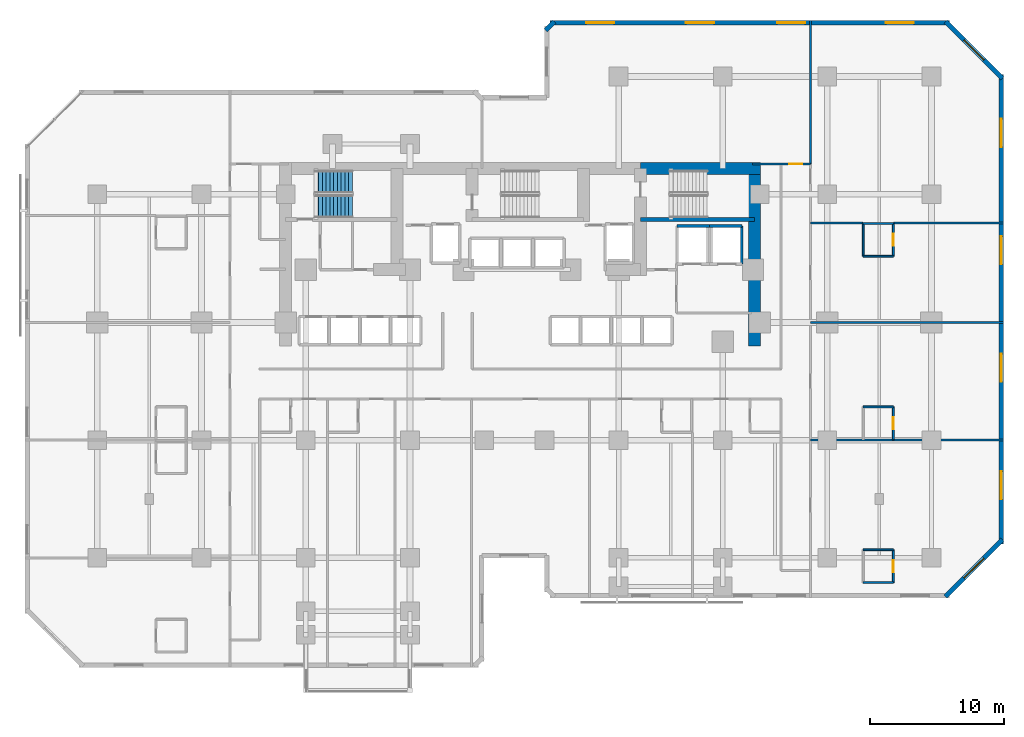
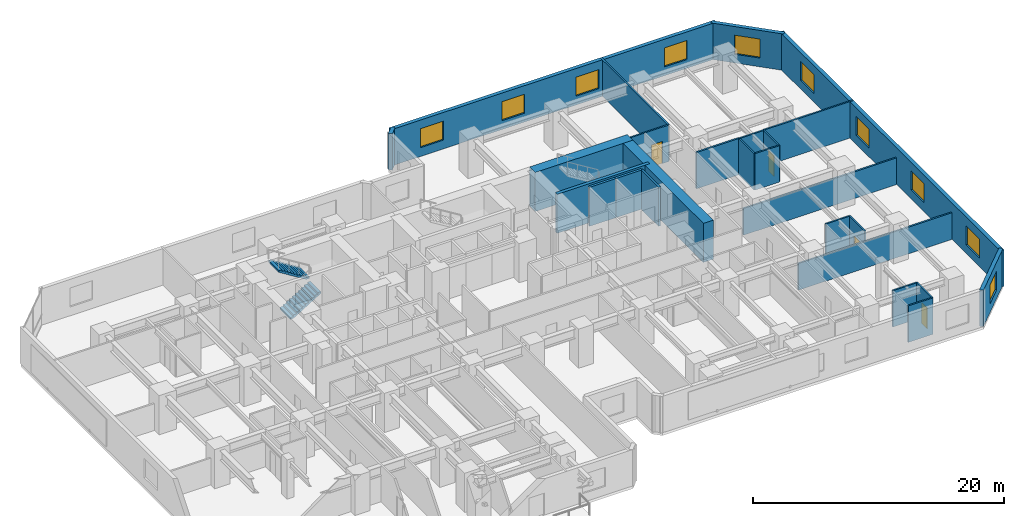
# One storey, part 9 of 12: 26 walls, 10 windows, 4 doors, 2 stair flights, 14 openings, 1 element without a shape of its own.
"""IFC4 building model written with IfcOpenShell, lengths in metres."""

import ifcopenshell
import ifcopenshell.guid

model = None  # the IFC model being written
_history = None  # IfcOwnerHistory: only IFC2X3 demands one
_inside = {}  # id of a spatial element -> (the spatial element, [elements in it])
_under = {}  # id of a project, library or spatial element -> (it, [spatial elements below it])
_declared = {}  # id of a project -> (the project, [libraries it declares])
_typed = {}  # id of a type object -> (the type object, [elements of that type])
_made_of = {}  # id of a material, layer set ... -> (it, [elements and type objects made of it])


def new_model(schema):
    """Start an empty IFC model of exactly this schema.

    Asked for "IFC4X3", IfcOpenShell would pick the latest addendum, in which some entities
    have other attributes; the version numbers below select the first issue.
    IFC2X3 requires an IfcOwnerHistory on every rooted entity: one is made here for all.
    """
    global model, _history
    if schema == "IFC4X3":
        model = ifcopenshell.file(schema_version=(4, 3, 0, 0))
    else:
        model = ifcopenshell.file(schema=schema)
    _inside.clear()
    _under.clear()
    _declared.clear()
    _typed.clear()
    _made_of.clear()
    _history = None
    if model.schema == "IFC2X3":
        org = make("IfcOrganization", Name="unknown")
        user = make(
            "IfcPersonAndOrganization",
            ThePerson=make("IfcPerson", FamilyName="unknown"),
            TheOrganization=org,
        )
        app = make(
            "IfcApplication",
            ApplicationDeveloper=org,
            Version="unknown",
            ApplicationFullName="unknown",
            ApplicationIdentifier="unknown",
        )
        _history = make(
            "IfcOwnerHistory",
            OwningUser=user,
            OwningApplication=app,
            ChangeAction="ADDED",
            CreationDate=0,
        )
    return model


def make(cls, **values):
    """One entity of the class cls with the attributes given. An attribute that is None is left unset."""
    return model.create_entity(
        cls, **{name: value for name, value in values.items() if value is not None}
    )


def rooted(cls, **values):
    """An entity with a GlobalId (a new one), such as an element, a storey or a relation."""
    return make(cls, GlobalId=ifcopenshell.guid.new(), OwnerHistory=_history, **values)


def si_unit(unit_type, name, prefix=None):
    """IfcSIUnit, for example si_unit("LENGTHUNIT", "METRE", prefix="MILLI")."""
    return make("IfcSIUnit", UnitType=unit_type, Prefix=prefix, Name=name)


def assignment(units):
    """IfcUnitAssignment: the units of a project."""
    return None if units is None else make("IfcUnitAssignment", Units=units)


def point(xyz):
    """IfcCartesianPoint."""
    return None if xyz is None else make("IfcCartesianPoint", Coordinates=xyz)


def direction(xyz):
    """IfcDirection."""
    return None if xyz is None else make("IfcDirection", DirectionRatios=xyz)


def frame(location, z_axis=None, x_axis=None):
    """IfcAxis2Placement3D, a coordinate frame: its origin and axes. An axis left out is left unset."""
    return make(
        "IfcAxis2Placement3D",
        Location=point(location),
        Axis=direction(z_axis),
        RefDirection=direction(x_axis),
    )


def frame_2d(location, x_axis=None):
    """IfcAxis2Placement2D, a coordinate frame in the plane: its origin and x axis."""
    return make(
        "IfcAxis2Placement2D", Location=point(location), RefDirection=direction(x_axis)
    )


def origin():
    """The frame at (0, 0, 0) with its axes left unset."""
    return frame((0.0, 0.0, 0.0))


def place(relative_to, where):
    """IfcLocalPlacement: puts the frame where relative to a parent placement (None: the world)."""
    return make(
        "IfcLocalPlacement", PlacementRelTo=relative_to, RelativePlacement=where
    )


def context(
    kind, dimensions, precision=None, world=None, true_north=None, identifier=None
):
    """IfcGeometricRepresentationContext, for example the 3D "Model" context."""
    return make(
        "IfcGeometricRepresentationContext",
        ContextIdentifier=identifier,
        ContextType=kind,
        CoordinateSpaceDimension=dimensions,
        Precision=precision,
        WorldCoordinateSystem=world,
        TrueNorth=true_north,
    )


def subcontext(parent, identifier, kind, view, scale=None):
    """IfcGeometricRepresentationSubContext, for example "Body" below "Model"."""
    return make(
        "IfcGeometricRepresentationSubContext",
        ContextIdentifier=identifier,
        ContextType=kind,
        ParentContext=parent,
        TargetScale=scale,
        TargetView=view,
    )


def project(units=None, contexts=None):
    """IfcProject with its units and contexts."""
    return rooted(
        "IfcProject",
        Name="project",
        RepresentationContexts=contexts,
        UnitsInContext=assignment(units),
    )


def spatial(cls, under=None, at=None, **own):
    """A site, building, storey or space (cls), placed at a placement, below another one or the project."""
    s = rooted(cls, ObjectPlacement=at, **own)
    if under is not None:
        _under.setdefault(under.id(), (under, []))[1].append(s)
    return s


def polyline(points):
    """IfcPolyline through the points."""
    return make("IfcPolyline", Points=[point(p) for p in points])


def profile(cls, at=None, kind="AREA", **sizes):
    """A parametric profile (cls). Its sizes go by their IFC names, for example OverallWidth=200.0."""
    return make(cls, ProfileType=kind, Position=at, **sizes)


def rectangle(**sizes):
    """IfcRectangleProfileDef."""
    return profile("IfcRectangleProfileDef", **sizes)


def outline(outer, holes=None, kind="AREA"):
    """IfcArbitraryClosedProfileDef: a profile drawn as a closed curve; with holes, ...WithVoids."""
    if holes is None:
        return make("IfcArbitraryClosedProfileDef", ProfileType=kind, OuterCurve=outer)
    return make(
        "IfcArbitraryProfileDefWithVoids",
        ProfileType=kind,
        OuterCurve=outer,
        InnerCurves=holes,
    )


def extrude(swept, where, along, depth):
    """IfcExtrudedAreaSolid: the profile swept, set in the frame where, extruded along a direction by depth."""
    return make(
        "IfcExtrudedAreaSolid",
        SweptArea=swept,
        Position=where,
        ExtrudedDirection=direction(along),
        Depth=depth,
    )


def shape(context_of_items, identifier, shape_type, items):
    """IfcShapeRepresentation: the items that make up one representation, for example the "Body"."""
    return make(
        "IfcShapeRepresentation",
        ContextOfItems=context_of_items,
        RepresentationIdentifier=identifier,
        RepresentationType=shape_type,
        Items=items,
    )


def material(Name=None, Category=None):
    """IfcMaterial."""
    return make("IfcMaterial", Name=Name, Category=Category)


def layer(
    of_material, thickness, ventilated=None, Name=None, Category=None, Priority=None
):
    """IfcMaterialLayer: one layer of a wall or slab, of a material (None: an air gap)."""
    return make(
        "IfcMaterialLayer",
        Material=of_material,
        LayerThickness=thickness,
        IsVentilated=ventilated,
        Name=Name,
        Category=Category,
        Priority=Priority,
    )


def layer_set(layers, Name=None):
    """IfcMaterialLayerSet."""
    return make("IfcMaterialLayerSet", MaterialLayers=layers, LayerSetName=Name)


def made_of(thing, what):
    """Note that an element or type object is made of a material, layer set ...; save() writes the relation."""
    if what is not None:
        _made_of.setdefault(what.id(), (what, []))[1].append(thing)
    return thing


def type_object(cls, material=None, **own):
    """A type object (cls), such as IfcWallType, which elements share."""
    return made_of(rooted(cls, **own), material)


def element(
    cls,
    number,
    at=None,
    inside=None,
    cuts=None,
    type_object=None,
    material=None,
    context=None,
    identifier="Body",
    shape_type=None,
    held_by="IfcProductDefinitionShape",
    body=None,
    shapes=None,
    **own,
):
    """One element of the class cls, such as IfcWall. Its Tag is "e" and its number.

    at: its placement. inside: the storey or other place that contains it. cuts: it is an
    opening in that element (IfcRelVoidsElement). A single representation is given by context,
    identifier, shape_type and body (its items); several are given by shapes. held_by: the class
    of the entity that holds the representations. save() writes the other relations.
    """
    e = rooted(cls, Tag="e%d" % number, ObjectPlacement=at, **own)
    if body is not None:
        shapes = [shape(context, identifier, shape_type, body)]
    if shapes is not None:
        e.Representation = make(held_by, Representations=shapes)
    if inside is not None:
        _inside.setdefault(inside.id(), (inside, []))[1].append(e)
    if cuts is not None:
        rooted(
            "IfcRelVoidsElement", RelatingBuildingElement=cuts, RelatedOpeningElement=e
        )
    if type_object is not None:
        _typed.setdefault(type_object.id(), (type_object, []))[1].append(e)
    return made_of(e, material)


def fill(opening, filler):
    """IfcRelFillsElement: the door or window that sits in an opening."""
    return rooted(
        "IfcRelFillsElement",
        RelatingOpeningElement=opening,
        RelatedBuildingElement=filler,
    )


def aggregate(whole, parts):
    """IfcRelAggregates: a whole, such as a stair, and the parts it consists of."""
    return rooted("IfcRelAggregates", RelatingObject=whole, RelatedObjects=parts)


def save(model, path):
    """Write the relations noted so far, then the file.

    IfcRelAggregates (storeys below a building ...), IfcRelContainedInSpatialStructure (elements
    in a storey), IfcRelDefinesByType, IfcRelAssociatesMaterial and IfcRelDeclares: one each for
    every whole, place, type object, material and project.
    """
    for whole, parts in _under.values():
        aggregate(whole, parts)
    for where, things in _inside.values():
        rooted(
            "IfcRelContainedInSpatialStructure",
            RelatedElements=things,
            RelatingStructure=where,
        )
    for kind, things in _typed.values():
        rooted("IfcRelDefinesByType", RelatedObjects=things, RelatingType=kind)
    for what, things in _made_of.values():
        rooted("IfcRelAssociatesMaterial", RelatedObjects=things, RelatingMaterial=what)
    for by, libraries in _declared.values():
        rooted("IfcRelDeclares", RelatingContext=by, RelatedDefinitions=libraries)
    model.write(path)


model = new_model("IFC4")

# Units and contexts
model_context = context("Model", 3, precision=1e-05, world=origin(), true_north=direction((0.0, 1.0)))
body_context = subcontext(model_context, "Body", "Model", "MODEL_VIEW")
ifc_project = project(units=[si_unit("LENGTHUNIT", "METRE"), si_unit("AREAUNIT", "SQUARE_METRE"), si_unit("VOLUMEUNIT", "CUBIC_METRE"), si_unit("PLANEANGLEUNIT", "RADIAN"), si_unit("MASSUNIT", "GRAM", prefix="KILO")], contexts=[model_context])

# Site, building, storey
site_placement = place(None, origin())
site = spatial("IfcSite", under=ifc_project, at=site_placement, CompositionType="ELEMENT")
building_placement = place(site_placement, origin())
building = spatial("IfcBuilding", under=site, at=building_placement, Name="Kestravale Grand Hotel", CompositionType="ELEMENT")
storey_placement = place(building_placement, frame((0.0, 0.0, 48.800048828125)))
storey = spatial("IfcBuildingStorey", under=building, at=storey_placement, Name="L11", CompositionType="ELEMENT", Elevation=48.800048828125)

# Walls
ifc_material_1 = material(Name="Concrete f'c 70 MPa", Category="concrete")
ifc_layer_1 = layer(ifc_material_1, 0.89990234375)
ifc_layer_set_1 = layer_set([ifc_layer_1], Name="EW-CORE-900")
wall_type_1 = type_object("IfcWallType", Name="EW-CORE-900", PredefinedType="SHEAR", material=ifc_layer_set_1)
wall_1_placement = place(storey_placement, frame((48.449951171875, 40.320068359375, 0.0), z_axis=(0.0, 0.0, 1.0), x_axis=(1.0, 0.0, 0.0)))
element("IfcWall", 1, at=wall_1_placement, inside=storey, type_object=wall_type_1, Name="L11 core shear wall N3", PredefinedType="SHEAR", context=body_context, shape_type="SweptSolid", body=[
    extrude(rectangle(XDim=8.969970703125, YDim=0.89990234375, at=frame_2d((4.48486328125, 0.0))), origin(), (0.0, 0.0, 1.0), 3.800048828125),
])
wall_2_placement = place(storey_placement, frame((56.969970703125, 27.050048828125, 0.0), z_axis=(0.0, 0.0, 1.0), x_axis=(0.0, 1.0, 0.0)))
element("IfcWall", 2, at=wall_2_placement, inside=storey, type_object=wall_type_1, Name="L11 core shear wall E1", PredefinedType="SHEAR", context=body_context, shape_type="SweptSolid", body=[
    extrude(rectangle(XDim=13.719970703125, YDim=0.89990234375, at=frame_2d((6.85986328125, 0.0))), origin(), (0.0, 0.0, 1.0), 3.800048828125),
])

# Wall, opening, window
ifc_material_2 = material(Name="Precast concrete f'c 45 MPa", Category="concrete")
ifc_layer_2 = layer(ifc_material_2, 0.340087890625)
ifc_layer_set_2 = layer_set([ifc_layer_2], Name="EW-PREC-340")
wall_type_2 = type_object("IfcWallType", Name="EW-PREC-340", PredefinedType="SOLIDWALL", material=ifc_layer_set_2)
wall_3_placement = place(storey_placement, frame((71.25146484375, 8.2919921875, 0.0), z_axis=(0.0, 0.0, 1.0), x_axis=(0.707106781187, 0.707106781187, 0.0)))
wall_3 = element("IfcWall", 3, at=wall_3_placement, inside=storey, type_object=wall_type_2, Name="L11 fluted precast facade wall 8", PredefinedType="SOLIDWALL", context=body_context, shape_type="SweptSolid", body=[
    extrude(rectangle(XDim=6.019775390625, YDim=0.340087890625, at=frame_2d((3.009765625, 0.0))), origin(), (0.0, 0.0, 1.0), 3.5400390625),
])
opening_1_placement = place(wall_3_placement, frame((1.9599609375, 0.0, 0.85009765625)))
opening_1 = element("IfcOpeningElement", 4, at=opening_1_placement, cuts=wall_3, Name="Opening W-GUEST-2100", PredefinedType="OPENING", context=body_context, shape_type="SweptSolid", body=[
    extrude(rectangle(XDim=2.10009765625, YDim=1.85009765625, at=frame_2d((1.050048828125, 0.925048828125))), frame((0.0, 0.179931640625, 0.0), z_axis=(0.0, -1.0, 0.0), x_axis=(1.0, 0.0, 0.0)), (0.0, 0.0, 1.0), 0.360107421875),
])
ifc_material_3 = material(Name="Insulated low-E double glazing in aluminium frame", Category="aluminium")
window_type = type_object("IfcWindowType", Name="W-GUEST-2100", PartitioningType="DOUBLE_PANEL_VERTICAL", PredefinedType="WINDOW", material=ifc_material_3)
window_1_placement = place(opening_1_placement, origin())
window_1 = element("IfcWindow", 5, at=window_1_placement, inside=storey, type_object=window_type, Name="L11 exterior window 8.1", OverallHeight=1.85009765625, OverallWidth=2.10009765625, PartitioningType="SINGLE_PANEL", PredefinedType="WINDOW", context=body_context, shape_type="SweptSolid", body=[
    extrude(rectangle(XDim=2.10009765625, YDim=1.85009765625, at=frame_2d((1.050048828125, 0.925048828125))), frame((0.0, 0.030029296875, 0.0), z_axis=(0.0, -1.0, 0.0), x_axis=(1.0, 0.0, 0.0)), (0.0, 0.0, 1.0), 0.06005859375),
])
fill(opening_1, window_1)

# Wall, openings, windows
wall_4_placement = place(storey_placement, frame((75.429931640625, 12.22998046875, 0.0), z_axis=(0.0, 0.0, 1.0), x_axis=(0.0, 1.0, 0.0)))
wall_4 = element("IfcWall", 6, at=wall_4_placement, inside=storey, type_object=wall_type_2, Name="L11 fluted precast facade wall 9", PredefinedType="SOLIDWALL", context=body_context, shape_type="SweptSolid", body=[
    extrude(rectangle(XDim=35.14013671875, YDim=0.340087890625, at=frame_2d((17.570068359375, 0.0))), origin(), (0.0, 0.0, 1.0), 3.5400390625),
])
opening_2_placement = place(wall_4_placement, frame((3.342529296875, 0.0, 0.85009765625)))
opening_2 = element("IfcOpeningElement", 7, at=opening_2_placement, cuts=wall_4, Name="Opening W-GUEST-2100", PredefinedType="OPENING", context=body_context, shape_type="SweptSolid", body=[
    extrude(rectangle(XDim=2.10009765625, YDim=1.85009765625, at=frame_2d((1.050048828125, 0.925048828125))), frame((0.0, 0.179931640625, 0.0), z_axis=(0.0, -1.0, 0.0), x_axis=(1.0, 0.0, 0.0)), (0.0, 0.0, 1.0), 0.360107421875),
])
opening_3_placement = place(wall_4_placement, frame((12.12744140625, 0.0, 0.85009765625)))
opening_3 = element("IfcOpeningElement", 8, at=opening_3_placement, cuts=wall_4, Name="Opening W-GUEST-2100", PredefinedType="OPENING", context=body_context, shape_type="SweptSolid", body=[
    extrude(rectangle(XDim=2.10009765625, YDim=1.85009765625, at=frame_2d((1.050048828125, 0.925048828125))), frame((0.0, 0.179931640625, 0.0), z_axis=(0.0, -1.0, 0.0), x_axis=(1.0, 0.0, 0.0)), (0.0, 0.0, 1.0), 0.360107421875),
])
opening_4_placement = place(wall_4_placement, frame((20.91259765625, 0.0, 0.85009765625)))
opening_4 = element("IfcOpeningElement", 9, at=opening_4_placement, cuts=wall_4, Name="Opening W-GUEST-2100", PredefinedType="OPENING", context=body_context, shape_type="SweptSolid", body=[
    extrude(rectangle(XDim=2.10009765625, YDim=1.85009765625, at=frame_2d((1.050048828125, 0.925048828125))), frame((0.0, 0.179931640625, 0.0), z_axis=(0.0, -1.0, 0.0), x_axis=(1.0, 0.0, 0.0)), (0.0, 0.0, 1.0), 0.360107421875),
])
opening_5_placement = place(wall_4_placement, frame((29.697509765625, 0.0, 0.85009765625)))
opening_5 = element("IfcOpeningElement", 10, at=opening_5_placement, cuts=wall_4, Name="Opening W-GUEST-2100", PredefinedType="OPENING", context=body_context, shape_type="SweptSolid", body=[
    extrude(rectangle(XDim=2.10009765625, YDim=1.85009765625, at=frame_2d((1.050048828125, 0.925048828125))), frame((0.0, 0.179931640625, 0.0), z_axis=(0.0, -1.0, 0.0), x_axis=(1.0, 0.0, 0.0)), (0.0, 0.0, 1.0), 0.360107421875),
])
window_2_placement = place(opening_2_placement, origin())
window_2 = element("IfcWindow", 11, at=window_2_placement, inside=storey, type_object=window_type, Name="L11 exterior window 9.1", OverallHeight=1.85009765625, OverallWidth=2.10009765625, PartitioningType="SINGLE_PANEL", PredefinedType="WINDOW", context=body_context, shape_type="SweptSolid", body=[
    extrude(rectangle(XDim=2.10009765625, YDim=1.85009765625, at=frame_2d((1.050048828125, 0.925048828125))), frame((0.0, 0.030029296875, 0.0), z_axis=(0.0, -1.0, 0.0), x_axis=(1.0, 0.0, 0.0)), (0.0, 0.0, 1.0), 0.06005859375),
])
fill(opening_2, window_2)
window_3_placement = place(opening_3_placement, origin())
window_3 = element("IfcWindow", 12, at=window_3_placement, inside=storey, type_object=window_type, Name="L11 exterior window 9.2", OverallHeight=1.85009765625, OverallWidth=2.10009765625, PartitioningType="SINGLE_PANEL", PredefinedType="WINDOW", context=body_context, shape_type="SweptSolid", body=[
    extrude(rectangle(XDim=2.10009765625, YDim=1.85009765625, at=frame_2d((1.050048828125, 0.925048828125))), frame((0.0, 0.030029296875, 0.0), z_axis=(0.0, -1.0, 0.0), x_axis=(1.0, 0.0, 0.0)), (0.0, 0.0, 1.0), 0.06005859375),
])
fill(opening_3, window_3)
window_4_placement = place(opening_4_placement, origin())
window_4 = element("IfcWindow", 13, at=window_4_placement, inside=storey, type_object=window_type, Name="L11 exterior window 9.3", OverallHeight=1.85009765625, OverallWidth=2.10009765625, PartitioningType="SINGLE_PANEL", PredefinedType="WINDOW", context=body_context, shape_type="SweptSolid", body=[
    extrude(rectangle(XDim=2.10009765625, YDim=1.85009765625, at=frame_2d((1.050048828125, 0.925048828125))), frame((0.0, 0.030029296875, 0.0), z_axis=(0.0, -1.0, 0.0), x_axis=(1.0, 0.0, 0.0)), (0.0, 0.0, 1.0), 0.06005859375),
])
fill(opening_4, window_4)
window_5_placement = place(opening_5_placement, origin())
window_5 = element("IfcWindow", 14, at=window_5_placement, inside=storey, type_object=window_type, Name="L11 exterior window 9.4", OverallHeight=1.85009765625, OverallWidth=2.10009765625, PartitioningType="SINGLE_PANEL", PredefinedType="WINDOW", context=body_context, shape_type="SweptSolid", body=[
    extrude(rectangle(XDim=2.10009765625, YDim=1.85009765625, at=frame_2d((1.050048828125, 0.925048828125))), frame((0.0, 0.030029296875, 0.0), z_axis=(0.0, -1.0, 0.0), x_axis=(1.0, 0.0, 0.0)), (0.0, 0.0, 1.0), 0.06005859375),
])
fill(opening_5, window_5)

# Wall, opening, window
wall_5_placement = place(storey_placement, frame((75.508056640625, 47.051513671875, 0.0), z_axis=(0.0, 0.0, 1.0), x_axis=(-0.707106781187, 0.707106781187, 0.0)))
wall_5 = element("IfcWall", 15, at=wall_5_placement, inside=storey, type_object=wall_type_2, Name="L11 fluted precast facade wall 10", PredefinedType="SOLIDWALL", context=body_context, shape_type="SweptSolid", body=[
    extrude(rectangle(XDim=6.019775390625, YDim=0.340087890625, at=frame_2d((3.009765625, 0.0))), origin(), (0.0, 0.0, 1.0), 3.5400390625),
])
opening_6_placement = place(wall_5_placement, frame((1.9599609375, 0.0, 0.85009765625)))
opening_6 = element("IfcOpeningElement", 16, at=opening_6_placement, cuts=wall_5, Name="Opening W-GUEST-2100", PredefinedType="OPENING", context=body_context, shape_type="SweptSolid", body=[
    extrude(rectangle(XDim=2.10009765625, YDim=1.85009765625, at=frame_2d((1.050048828125, 0.925048828125))), frame((0.0, 0.179931640625, 0.0), z_axis=(0.0, -1.0, 0.0), x_axis=(1.0, 0.0, 0.0)), (0.0, 0.0, 1.0), 0.360107421875),
])
window_6_placement = place(opening_6_placement, origin())
window_6 = element("IfcWindow", 17, at=window_6_placement, inside=storey, type_object=window_type, Name="L11 exterior window 10.1", OverallHeight=1.85009765625, OverallWidth=2.10009765625, PartitioningType="SINGLE_PANEL", PredefinedType="WINDOW", context=body_context, shape_type="SweptSolid", body=[
    extrude(rectangle(XDim=2.10009765625, YDim=1.85009765625, at=frame_2d((1.050048828125, 0.925048828125))), frame((0.0, 0.030029296875, 0.0), z_axis=(0.0, -1.0, 0.0), x_axis=(1.0, 0.0, 0.0)), (0.0, 0.0, 1.0), 0.06005859375),
])
fill(opening_6, window_6)

# Wall, openings, windows
wall_6_placement = place(storey_placement, frame((71.570068359375, 51.22998046875, 0.0), z_axis=(0.0, 0.0, 1.0), x_axis=(-1.0, 0.0, 0.0)))
wall_6 = element("IfcWall", 18, at=wall_6_placement, inside=storey, type_object=wall_type_2, Name="L11 fluted precast facade wall 11", PredefinedType="SOLIDWALL", context=body_context, shape_type="SweptSolid", body=[
    extrude(rectangle(XDim=29.89013671875, YDim=0.340087890625, at=frame_2d((14.945068359375, 0.0))), origin(), (0.0, 0.0, 1.0), 3.5400390625),
])
opening_7_placement = place(wall_6_placement, frame((2.686279296875, 0.0, 0.85009765625)))
opening_7 = element("IfcOpeningElement", 19, at=opening_7_placement, cuts=wall_6, Name="Opening W-GUEST-2100", PredefinedType="OPENING", context=body_context, shape_type="SweptSolid", body=[
    extrude(rectangle(XDim=2.10009765625, YDim=1.85009765625, at=frame_2d((1.050048828125, 0.925048828125))), frame((0.0, 0.179931640625, 0.0), z_axis=(0.0, -1.0, 0.0), x_axis=(1.0, 0.0, 0.0)), (0.0, 0.0, 1.0), 0.360107421875),
])
opening_8_placement = place(wall_6_placement, frame((10.80859375, 0.0, 0.85009765625)))
opening_8 = element("IfcOpeningElement", 20, at=opening_8_placement, cuts=wall_6, Name="Opening W-GUEST-2100", PredefinedType="OPENING", context=body_context, shape_type="SweptSolid", body=[
    extrude(rectangle(XDim=2.10009765625, YDim=1.85009765625, at=frame_2d((1.050048828125, 0.925048828125))), frame((0.0, 0.179931640625, 0.0), z_axis=(0.0, -1.0, 0.0), x_axis=(1.0, 0.0, 0.0)), (0.0, 0.0, 1.0), 0.360107421875),
])
opening_9_placement = place(wall_6_placement, frame((17.631103515625, 0.0, 0.85009765625)))
opening_9 = element("IfcOpeningElement", 21, at=opening_9_placement, cuts=wall_6, Name="Opening W-GUEST-2100", PredefinedType="OPENING", context=body_context, shape_type="SweptSolid", body=[
    extrude(rectangle(XDim=2.10009765625, YDim=1.85009765625, at=frame_2d((1.050048828125, 0.925048828125))), frame((0.0, 0.179931640625, 0.0), z_axis=(0.0, -1.0, 0.0), x_axis=(1.0, 0.0, 0.0)), (0.0, 0.0, 1.0), 0.360107421875),
])
opening_10_placement = place(wall_6_placement, frame((25.103759765625, 0.0, 0.85009765625)))
opening_10 = element("IfcOpeningElement", 22, at=opening_10_placement, cuts=wall_6, Name="Opening W-GUEST-2100", PredefinedType="OPENING", context=body_context, shape_type="SweptSolid", body=[
    extrude(rectangle(XDim=2.10009765625, YDim=1.85009765625, at=frame_2d((1.050048828125, 0.925048828125))), frame((0.0, 0.179931640625, 0.0), z_axis=(0.0, -1.0, 0.0), x_axis=(1.0, 0.0, 0.0)), (0.0, 0.0, 1.0), 0.360107421875),
])
window_7_placement = place(opening_7_placement, origin())
window_7 = element("IfcWindow", 23, at=window_7_placement, inside=storey, type_object=window_type, Name="L11 exterior window 11.1", OverallHeight=1.85009765625, OverallWidth=2.10009765625, PartitioningType="SINGLE_PANEL", PredefinedType="WINDOW", context=body_context, shape_type="SweptSolid", body=[
    extrude(rectangle(XDim=2.10009765625, YDim=1.85009765625, at=frame_2d((1.050048828125, 0.925048828125))), frame((0.0, 0.030029296875, 0.0), z_axis=(0.0, -1.0, 0.0), x_axis=(1.0, 0.0, 0.0)), (0.0, 0.0, 1.0), 0.06005859375),
])
fill(opening_7, window_7)
window_8_placement = place(opening_8_placement, origin())
window_8 = element("IfcWindow", 24, at=window_8_placement, inside=storey, type_object=window_type, Name="L11 exterior window 11.2", OverallHeight=1.85009765625, OverallWidth=2.10009765625, PartitioningType="SINGLE_PANEL", PredefinedType="WINDOW", context=body_context, shape_type="SweptSolid", body=[
    extrude(rectangle(XDim=2.10009765625, YDim=1.85009765625, at=frame_2d((1.050048828125, 0.925048828125))), frame((0.0, 0.030029296875, 0.0), z_axis=(0.0, -1.0, 0.0), x_axis=(1.0, 0.0, 0.0)), (0.0, 0.0, 1.0), 0.06005859375),
])
fill(opening_8, window_8)
window_9_placement = place(opening_9_placement, origin())
window_9 = element("IfcWindow", 25, at=window_9_placement, inside=storey, type_object=window_type, Name="L11 exterior window 11.3", OverallHeight=1.85009765625, OverallWidth=2.10009765625, PartitioningType="SINGLE_PANEL", PredefinedType="WINDOW", context=body_context, shape_type="SweptSolid", body=[
    extrude(rectangle(XDim=2.10009765625, YDim=1.85009765625, at=frame_2d((1.050048828125, 0.925048828125))), frame((0.0, 0.030029296875, 0.0), z_axis=(0.0, -1.0, 0.0), x_axis=(1.0, 0.0, 0.0)), (0.0, 0.0, 1.0), 0.06005859375),
])
fill(opening_9, window_9)
window_10_placement = place(opening_10_placement, origin())
window_10 = element("IfcWindow", 26, at=window_10_placement, inside=storey, type_object=window_type, Name="L11 exterior window 11.4", OverallHeight=1.85009765625, OverallWidth=2.10009765625, PartitioningType="SINGLE_PANEL", PredefinedType="WINDOW", context=body_context, shape_type="SweptSolid", body=[
    extrude(rectangle(XDim=2.10009765625, YDim=1.85009765625, at=frame_2d((1.050048828125, 0.925048828125))), frame((0.0, 0.030029296875, 0.0), z_axis=(0.0, -1.0, 0.0), x_axis=(1.0, 0.0, 0.0)), (0.0, 0.0, 1.0), 0.06005859375),
])
fill(opening_10, window_10)

# Walls
wall_7_placement = place(storey_placement, frame((41.99853515625, 51.30810546875, 0.0), z_axis=(0.0, 0.0, 1.0), x_axis=(-0.707238225886, -0.706975312048, 0.0)))
element("IfcWall", 27, at=wall_7_placement, inside=storey, type_object=wall_type_2, Name="L11 fluted precast facade wall 12", PredefinedType="SOLIDWALL", context=body_context, shape_type="SweptSolid", body=[
    extrude(rectangle(XDim=0.9287109375, YDim=0.340087890625, at=frame_2d((0.46435546875, 0.0))), origin(), (0.0, 0.0, 1.0), 3.5400390625),
])
ifc_material_4 = material(Name="Concrete f'c 45 MPa", Category="concrete")
ifc_layer_3 = layer(ifc_material_4, 0.300048828125)
ifc_layer_set_3 = layer_set([ifc_layer_3], Name="EW-STAIR-300")
wall_type_3 = type_object("IfcWallType", Name="EW-STAIR-300", PredefinedType="SHEAR", material=ifc_layer_set_3)
wall_8_placement = place(storey_placement, frame((48.449951171875, 36.52001953125, 0.0), z_axis=(0.0, 0.0, 1.0), x_axis=(1.0, 0.0, 0.0)))
element("IfcWall", 28, at=wall_8_placement, inside=storey, type_object=wall_type_3, Name="L11 stair enclosure shear wall SST3", PredefinedType="SHEAR", context=body_context, shape_type="SweptSolid", body=[
    extrude(rectangle(XDim=8.52001953125, YDim=0.300048828125, at=frame_2d((4.260009765625, 0.0))), origin(), (0.0, 0.0, 1.0), 3.800048828125),
])

# Wall, opening, door
ifc_material_5 = material(Name="Moisture-resistant tile-backer plumbing chase wall", Category="other")
ifc_layer_4 = layer(ifc_material_5, 0.139892578125)
ifc_layer_set_4 = layer_set([ifc_layer_4], Name="IW-PLB-140")
wall_type_4 = type_object("IfcWallType", Name="IW-PLB-140", PredefinedType="PLUMBINGWALL", material=ifc_layer_set_4)
wall_9_placement = place(storey_placement, frame((67.35009765625, 9.35009765625, 0.0), z_axis=(0.0, 0.0, 1.0), x_axis=(0.0, 1.0, 0.0)))
wall_9 = element("IfcWall", 29, at=wall_9_placement, inside=storey, type_object=wall_type_4, Name="W-L11-U09-BE", PredefinedType="PLUMBINGWALL", context=body_context, shape_type="SweptSolid", body=[
    extrude(rectangle(XDim=2.449951171875, YDim=0.139892578125, at=frame_2d((1.22509765625, 0.0))), origin(), (0.0, 0.0, 1.0), 3.5400390625),
])
opening_11_placement = place(wall_9_placement, frame((0.784912109375, 0.0, 0.0)))
opening_11 = element("IfcOpeningElement", 30, at=opening_11_placement, cuts=wall_9, Name="Opening D-BATH-880", PredefinedType="OPENING", context=body_context, shape_type="SweptSolid", body=[
    extrude(rectangle(XDim=0.8798828125, YDim=2.050048828125, at=frame_2d((0.43994140625, 1.02490234375))), frame((0.0, 0.079833984375, 0.0), z_axis=(0.0, -1.0, 0.0), x_axis=(1.0, 0.0, 0.0)), (0.0, 0.0, 1.0), 0.159912109375),
])
ifc_material_6 = material(Name="Moisture-sealed walnut en-suite bathroom door", Category="wood")
door_type_1 = type_object("IfcDoorType", Name="D-BATH-880", OperationType="NOTDEFINED", PredefinedType="DOOR", material=ifc_material_6)
door_1_placement = place(opening_11_placement, origin())
door_1 = element("IfcDoor", 31, at=door_1_placement, inside=storey, type_object=door_type_1, Name="D-L11-U09-BATH", OperationType="SINGLE_SWING_RIGHT", OverallHeight=2.050048828125, OverallWidth=0.8798828125, PredefinedType="DOOR", context=body_context, shape_type="SweptSolid", body=[
    extrude(rectangle(XDim=0.8798828125, YDim=2.050048828125, at=frame_2d((0.43994140625, 1.02490234375))), frame((0.0, 0.02490234375, 0.0), z_axis=(0.0, -1.0, 0.0), x_axis=(1.0, 0.0, 0.0)), (0.0, 0.0, 1.0), 0.050048828125),
])
fill(opening_11, door_1)

# Walls
for number, where, z_axis, x_axis, name in (
    (32, (65.10009765625, 9.35009765625, 0.0), (0.0, 0.0, 1.0), (1.0, 0.0, 0.0), "W-L11-U09-BS"),
    (33, (65.10009765625, 11.800048828125, 0.0), (0.0, 0.0, 1.0), (1.0, 0.0, 0.0), "W-L11-U09-BN"),
):
    element("IfcWall", number, at=place(storey_placement, frame(where, z_axis=z_axis, x_axis=x_axis)), inside=storey, type_object=wall_type_4, Name=name, PredefinedType="PLUMBINGWALL", context=body_context, shape_type="SweptSolid", body=[
        extrude(rectangle(XDim=2.25, YDim=0.139892578125, at=frame_2d((1.125, 0.0))), origin(), (0.0, 0.0, 1.0), 3.5400390625),
    ])

# Wall, opening, door
wall_10_placement = place(storey_placement, frame((67.35009765625, 20.0400390625, 0.0), z_axis=(0.0, 0.0, 1.0), x_axis=(0.0, 1.0, 0.0)))
wall_10 = element("IfcWall", 34, at=wall_10_placement, inside=storey, type_object=wall_type_4, Name="W-L11-U10-BE", PredefinedType="PLUMBINGWALL", context=body_context, shape_type="SweptSolid", body=[
    extrude(rectangle(XDim=2.449951171875, YDim=0.139892578125, at=frame_2d((1.22509765625, 0.0))), origin(), (0.0, 0.0, 1.0), 3.5400390625),
])
opening_12_placement = place(wall_10_placement, frame((0.784912109375, 0.0, 0.0)))
opening_12 = element("IfcOpeningElement", 35, at=opening_12_placement, cuts=wall_10, Name="Opening D-BATH-880", PredefinedType="OPENING", context=body_context, shape_type="SweptSolid", body=[
    extrude(rectangle(XDim=0.8798828125, YDim=2.050048828125, at=frame_2d((0.43994140625, 1.02490234375))), frame((0.0, 0.079833984375, 0.0), z_axis=(0.0, -1.0, 0.0), x_axis=(1.0, 0.0, 0.0)), (0.0, 0.0, 1.0), 0.159912109375),
])
door_2_placement = place(opening_12_placement, origin())
door_2 = element("IfcDoor", 36, at=door_2_placement, inside=storey, type_object=door_type_1, Name="D-L11-U10-BATH", OperationType="SINGLE_SWING_RIGHT", OverallHeight=2.050048828125, OverallWidth=0.8798828125, PredefinedType="DOOR", context=body_context, shape_type="SweptSolid", body=[
    extrude(rectangle(XDim=0.8798828125, YDim=2.050048828125, at=frame_2d((0.43994140625, 1.02490234375))), frame((0.0, 0.02490234375, 0.0), z_axis=(0.0, -1.0, 0.0), x_axis=(1.0, 0.0, 0.0)), (0.0, 0.0, 1.0), 0.050048828125),
])
fill(opening_12, door_2)

# Walls
wall_11_placement = place(storey_placement, frame((65.10009765625, 22.489990234375, 0.0), z_axis=(0.0, 0.0, 1.0), x_axis=(1.0, 0.0, 0.0)))
element("IfcWall", 37, at=wall_11_placement, inside=storey, type_object=wall_type_4, Name="W-L11-U10-BN", PredefinedType="PLUMBINGWALL", context=body_context, shape_type="SweptSolid", body=[
    extrude(rectangle(XDim=2.25, YDim=0.139892578125, at=frame_2d((1.125, 0.0))), origin(), (0.0, 0.0, 1.0), 3.5400390625),
])
wall_12_placement = place(storey_placement, frame((65.10009765625, 33.760009765625, 0.0), z_axis=(0.0, 0.0, 1.0), x_axis=(0.0, 1.0, 0.0)))
element("IfcWall", 38, at=wall_12_placement, inside=storey, type_object=wall_type_4, Name="W-L11-U11-BW", PredefinedType="PLUMBINGWALL", context=body_context, shape_type="SweptSolid", body=[
    extrude(rectangle(XDim=2.449951171875, YDim=0.139892578125, at=frame_2d((1.22509765625, 0.0))), origin(), (0.0, 0.0, 1.0), 3.5400390625),
])

# Wall, opening, door
wall_13_placement = place(storey_placement, frame((67.35009765625, 33.760009765625, 0.0), z_axis=(0.0, 0.0, 1.0), x_axis=(0.0, 1.0, 0.0)))
wall_13 = element("IfcWall", 39, at=wall_13_placement, inside=storey, type_object=wall_type_4, Name="W-L11-U11-BE", PredefinedType="PLUMBINGWALL", context=body_context, shape_type="SweptSolid", body=[
    extrude(rectangle(XDim=2.449951171875, YDim=0.139892578125, at=frame_2d((1.22509765625, 0.0))), origin(), (0.0, 0.0, 1.0), 3.5400390625),
])
opening_13_placement = place(wall_13_placement, frame((0.784912109375, 0.0, 0.0)))
opening_13 = element("IfcOpeningElement", 40, at=opening_13_placement, cuts=wall_13, Name="Opening D-BATH-880", PredefinedType="OPENING", context=body_context, shape_type="SweptSolid", body=[
    extrude(rectangle(XDim=0.8798828125, YDim=2.050048828125, at=frame_2d((0.43994140625, 1.02490234375))), frame((0.0, 0.079833984375, 0.0), z_axis=(0.0, -1.0, 0.0), x_axis=(1.0, 0.0, 0.0)), (0.0, 0.0, 1.0), 0.159912109375),
])
door_3_placement = place(opening_13_placement, origin())
door_3 = element("IfcDoor", 41, at=door_3_placement, inside=storey, type_object=door_type_1, Name="D-L11-U11-BATH", OperationType="SINGLE_SWING_RIGHT", OverallHeight=2.050048828125, OverallWidth=0.8798828125, PredefinedType="DOOR", context=body_context, shape_type="SweptSolid", body=[
    extrude(rectangle(XDim=0.8798828125, YDim=2.050048828125, at=frame_2d((0.43994140625, 1.02490234375))), frame((0.0, 0.02490234375, 0.0), z_axis=(0.0, -1.0, 0.0), x_axis=(1.0, 0.0, 0.0)), (0.0, 0.0, 1.0), 0.050048828125),
])
fill(opening_13, door_3)

# Walls
for number, where, z_axis, x_axis, name in (
    (42, (65.10009765625, 33.760009765625, 0.0), (0.0, 0.0, 1.0), (1.0, 0.0, 0.0), "W-L11-U11-BS"),
    (43, (65.10009765625, 36.2099609375, 0.0), (0.0, 0.0, 1.0), (1.0, 0.0, 0.0), "W-L11-U11-BN"),
):
    element("IfcWall", number, at=place(storey_placement, frame(where, z_axis=z_axis, x_axis=x_axis)), inside=storey, type_object=wall_type_4, Name=name, PredefinedType="PLUMBINGWALL", context=body_context, shape_type="SweptSolid", body=[
        extrude(rectangle(XDim=2.25, YDim=0.139892578125, at=frame_2d((1.125, 0.0))), origin(), (0.0, 0.0, 1.0), 3.5400390625),
    ])
ifc_material_7 = material(Name="Concrete f'c 45 MPa", Category="concrete")
ifc_layer_5 = layer(ifc_material_7, 0.199951171875)
ifc_layer_set_5 = layer_set([ifc_layer_5], Name="IW-SHAFT-200")
wall_type_5 = type_object("IfcWallType", Name="IW-SHAFT-200", PredefinedType="SHEAR", material=ifc_layer_set_5)
wall_14_placement = place(storey_placement, frame((56.02001953125, 33.169921875, 0.0), z_axis=(0.0, 0.0, 1.0), x_axis=(0.0, 1.0, 0.0)))
element("IfcWall", 44, at=wall_14_placement, inside=storey, type_object=wall_type_5, Name="L11 SL-2 east shaft wall", PredefinedType="SHEAR", context=body_context, shape_type="SweptSolid", body=[
    extrude(rectangle(XDim=2.860107421875, YDim=0.199951171875, at=frame_2d((1.43017578125, 0.0))), origin(), (0.0, 0.0, 1.0), 3.800048828125),
])
ifc_material_8 = material(Name="Concrete f'c 45 MPa", Category="concrete")
ifc_layer_6 = layer(ifc_material_8, 0.219970703125)
ifc_layer_set_6 = layer_set([ifc_layer_6], Name="IW-SHAFT-220")
wall_type_6 = type_object("IfcWallType", Name="IW-SHAFT-220", PredefinedType="SHEAR", material=ifc_layer_set_6)
wall_15_placement = place(storey_placement, frame((51.179931640625, 36.030029296875, 0.0), z_axis=(0.0, 0.0, 1.0), x_axis=(1.0, 0.0, 0.0)))
element("IfcWall", 45, at=wall_15_placement, inside=storey, type_object=wall_type_6, Name="L11 SL-1 north shaft wall", PredefinedType="SHEAR", context=body_context, shape_type="SweptSolid", body=[
    extrude(rectangle(XDim=2.420166015625, YDim=0.219970703125, at=frame_2d((1.2099609375, 0.0))), origin(), (0.0, 0.0, 1.0), 3.800048828125),
])
wall_16_placement = place(storey_placement, frame((53.60009765625, 36.030029296875, 0.0), z_axis=(0.0, 0.0, 1.0), x_axis=(1.0, 0.0, 0.0)))
element("IfcWall", 46, at=wall_16_placement, inside=storey, type_object=wall_type_6, Name="L11 SL-2 north shaft wall", PredefinedType="SHEAR", context=body_context, shape_type="SweptSolid", body=[
    extrude(rectangle(XDim=2.419921875, YDim=0.219970703125, at=frame_2d((1.2099609375, 0.0))), origin(), (0.0, 0.0, 1.0), 3.800048828125),
])

# Wall, opening, door
ifc_material_9 = material(Name="Double-stud STC 52 acoustic demising partition", Category="other")
ifc_layer_7 = layer(ifc_material_9, 0.14990234375)
ifc_layer_set_7 = layer_set([ifc_layer_7], Name="IW-UNIT-150")
wall_type_7 = type_object("IfcWallType", Name="IW-UNIT-150", PredefinedType="PARTITIONING", material=ifc_layer_set_7)
wall_17_placement = place(storey_placement, frame((56.800048828125, 40.64990234375, 0.0), z_axis=(0.0, 0.0, 1.0), x_axis=(1.0, 0.0, 0.0)))
wall_17 = element("IfcWall", 47, at=wall_17_placement, inside=storey, type_object=wall_type_7, Name="W-L11-SE-N", PredefinedType="PARTITIONING", context=body_context, shape_type="SweptSolid", body=[
    extrude(rectangle(XDim=4.35986328125, YDim=0.14990234375, at=frame_2d((2.179931640625, 0.0))), origin(), (0.0, 0.0, 1.0), 3.5400390625),
])
opening_14_placement = place(wall_17_placement, frame((2.75, 0.0, 0.0)))
opening_14 = element("IfcOpeningElement", 48, at=opening_14_placement, cuts=wall_17, Name="Opening D-GUEST-1000", PredefinedType="OPENING", context=body_context, shape_type="SweptSolid", body=[
    extrude(rectangle(XDim=1.0, YDim=2.14990234375, at=frame_2d((0.5, 1.074951171875))), frame((0.0, 0.0849609375, 0.0), z_axis=(0.0, -1.0, 0.0), x_axis=(1.0, 0.0, 0.0)), (0.0, 0.0, 1.0), 0.169921875),
])
ifc_material_10 = material(Name="Accessible walnut veneer hotel entrance fire door", Category="wood")
door_type_2 = type_object("IfcDoorType", Name="D-GUEST-1000", OperationType="NOTDEFINED", PredefinedType="DOOR", material=ifc_material_10)
door_4_placement = place(opening_14_placement, origin())
door_4 = element("IfcDoor", 49, at=door_4_placement, inside=storey, type_object=door_type_2, Name="L11 NE Gallery Door", OperationType="SINGLE_SWING_LEFT", OverallHeight=2.14990234375, OverallWidth=1.0, PredefinedType="DOOR", context=body_context, shape_type="SweptSolid", body=[
    extrude(rectangle(XDim=1.0, YDim=2.14990234375, at=frame_2d((0.5, 1.074951171875))), frame((0.0, 0.02490234375, 0.0), z_axis=(0.0, -1.0, 0.0), x_axis=(1.0, 0.0, 0.0)), (0.0, 0.0, 1.0), 0.050048828125),
])
fill(opening_14, door_4)

# Walls
wall_18_placement = place(storey_placement, frame((61.159912109375, 40.64990234375, 0.0), z_axis=(0.0, 0.0, 1.0), x_axis=(0.0, 1.0, 0.0)))
element("IfcWall", 50, at=wall_18_placement, inside=storey, type_object=wall_type_7, Name="W-L11-NGE-E", PredefinedType="PARTITIONING", context=body_context, shape_type="SweptSolid", body=[
    extrude(rectangle(XDim=10.72998046875, YDim=0.14990234375, at=frame_2d((5.364990234375, 0.0))), origin(), (0.0, 0.0, 1.0), 3.5400390625),
])
for number, where, z_axis, x_axis, name in (
    (51, (61.159912109375, 20.0, 0.0), (0.0, 0.0, 1.0), (1.0, 0.0, 0.0), "W-L11-EW-1"),
    (52, (61.159912109375, 28.800048828125, 0.0), (0.0, 0.0, 1.0), (1.0, 0.0, 0.0), "W-L11-EW-2"),
):
    element("IfcWall", number, at=place(storey_placement, frame(where, z_axis=z_axis, x_axis=x_axis)), inside=storey, type_object=wall_type_7, Name=name, PredefinedType="PARTITIONING", context=body_context, shape_type="SweptSolid", body=[
        extrude(rectangle(XDim=14.420166015625, YDim=0.14990234375, at=frame_2d((7.2099609375, 0.0))), origin(), (0.0, 0.0, 1.0), 2.593017578125),
    ])
wall_19_placement = place(storey_placement, frame((61.159912109375, 36.25, 0.0), z_axis=(0.0, 0.0, 1.0), x_axis=(1.0, 0.0, 0.0)))
element("IfcWall", 53, at=wall_19_placement, inside=storey, type_object=wall_type_7, Name="W-L11-EW-3", PredefinedType="PARTITIONING", context=body_context, shape_type="SweptSolid", body=[
    extrude(rectangle(XDim=3.940185546875, YDim=0.14990234375, at=frame_2d((1.97021484375, 0.0))), origin(), (0.0, 0.0, 1.0), 3.5400390625),
])
wall_20_placement = place(storey_placement, frame((67.35009765625, 36.25, 0.0), z_axis=(0.0, 0.0, 1.0), x_axis=(1.0, 0.0, 0.0)))
element("IfcWall", 54, at=wall_20_placement, inside=storey, type_object=wall_type_7, Name="W-L11-EW-3", PredefinedType="PARTITIONING", context=body_context, shape_type="SweptSolid", body=[
    extrude(rectangle(XDim=8.22998046875, YDim=0.14990234375, at=frame_2d((4.114990234375, 0.0))), origin(), (0.0, 0.0, 1.0), 3.5400390625),
])

# Stair, stair flights
ifc_material_11 = material(Name="Concrete f'c 45 MPa", Category="concrete")
stair_type = type_object("IfcStairType", Name="ST-CORE-380", PredefinedType="HALF_TURN_STAIR", material=ifc_material_11)
stair_placement = place(storey_placement, origin())
stair = element("IfcStair", 55, at=stair_placement, inside=storey, type_object=stair_type, Name="L11 ST-1", PredefinedType="HALF_TURN_STAIR")
ifc_material_12 = material(Name="Concrete f'c 45 MPa", Category="concrete")
stair_flight_type = type_object("IfcStairFlightType", Name="STF-CORE-380", PredefinedType="STRAIGHT", material=ifc_material_12)
stair_flight_1_placement = place(storey_placement, frame((24.080078125, 37.489990234375, 0.0), z_axis=(0.0, 0.0, 1.0), x_axis=(1.0, 0.0, 0.0)))
stair_flight_1 = element("IfcStairFlight", 56, at=stair_flight_1_placement, type_object=stair_flight_type, Name="ST-1 flight 1", NumberOfRisers=11, NumberOfTreads=10, PredefinedType="STRAIGHT", RiserHeight=0.172727273, TreadLength=0.28, context=body_context, shape_type="SweptSolid", body=[
    extrude(outline(polyline([(0.0, 0.0), (0.0, 0.172607421875), (0.280029296875, 0.172607421875), (0.280029296875, 0.345458984375), (0.56005859375, 0.345458984375), (0.56005859375, 0.51806640625), (0.840087890625, 0.51806640625), (0.840087890625, 0.69091796875), (1.1201171875, 0.69091796875), (1.1201171875, 0.863525390625), (1.39990234375, 0.863525390625), (1.39990234375, 1.036376953125), (1.679931640625, 1.036376953125), (1.679931640625, 1.208984375), (1.9599609375, 1.208984375), (1.9599609375, 1.3818359375), (2.239990234375, 1.3818359375), (2.239990234375, 1.554443359375), (2.52001953125, 1.554443359375), (2.52001953125, 1.727294921875), (2.800048828125, 1.727294921875), (2.800048828125, 1.89990234375), (2.800048828125, 1.551025390625), (0.285400390625, 0.0), (0.0, 0.0)])), frame((0.0, 0.83984375, 0.0), z_axis=(0.0, -1.0, 0.0), x_axis=(1.0, 0.0, 0.0)), (0.0, 0.0, 1.0), 1.679931640625),
])
stair_flight_2_placement = place(storey_placement, frame((26.8798828125, 39.320068359375, 1.89990234375), z_axis=(0.0, 0.0, 1.0), x_axis=(-1.0, 0.0, 0.0)))
stair_flight_2 = element("IfcStairFlight", 57, at=stair_flight_2_placement, type_object=stair_flight_type, Name="ST-1 flight 2", NumberOfRisers=11, NumberOfTreads=10, PredefinedType="STRAIGHT", RiserHeight=0.172727273, TreadLength=0.28, context=body_context, shape_type="SweptSolid", body=[
    extrude(outline(polyline([(0.0, 0.0), (0.0, 0.172607421875), (0.280029296875, 0.172607421875), (0.280029296875, 0.345458984375), (0.56005859375, 0.345458984375), (0.56005859375, 0.51806640625), (0.840087890625, 0.51806640625), (0.840087890625, 0.69091796875), (1.1201171875, 0.69091796875), (1.1201171875, 0.863525390625), (1.39990234375, 0.863525390625), (1.39990234375, 1.036376953125), (1.679931640625, 1.036376953125), (1.679931640625, 1.208984375), (1.9599609375, 1.208984375), (1.9599609375, 1.3818359375), (2.239990234375, 1.3818359375), (2.239990234375, 1.554443359375), (2.52001953125, 1.554443359375), (2.52001953125, 1.727294921875), (2.800048828125, 1.727294921875), (2.800048828125, 1.89990234375), (2.800048828125, 1.551025390625), (0.285400390625, 0.0), (0.0, 0.0)])), frame((0.0, 0.83984375, 0.0), z_axis=(0.0, -1.0, 0.0), x_axis=(1.0, 0.0, 0.0)), (0.0, 0.0, 1.0), 1.679931640625),
])
aggregate(stair, [stair_flight_1, stair_flight_2])

save(model, "model.ifc")
